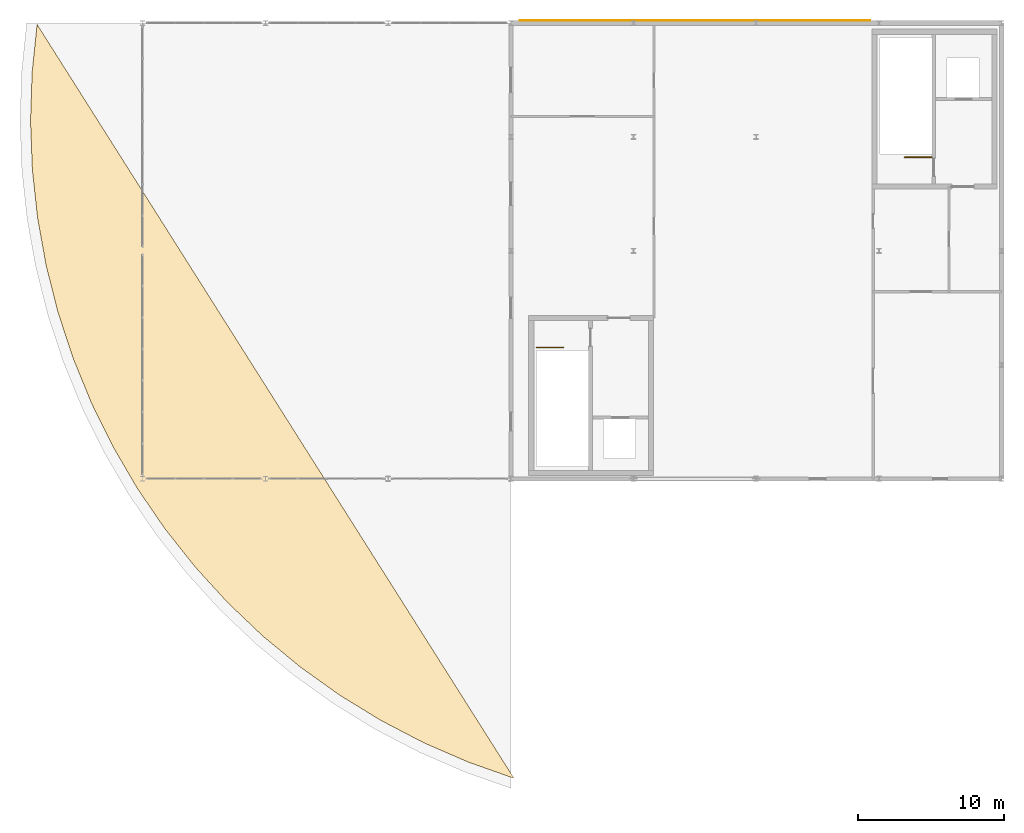
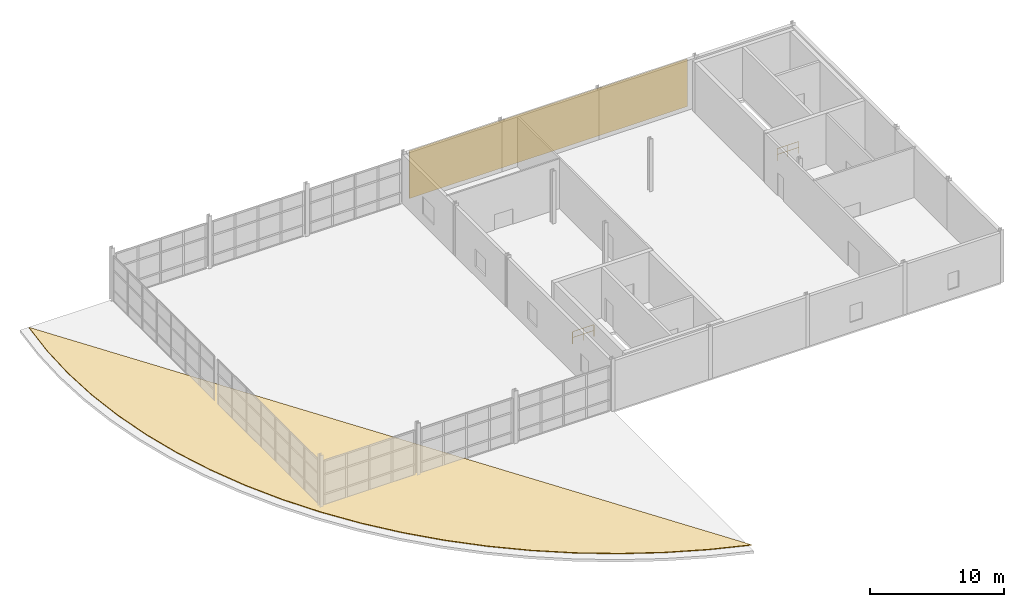
# One storey, part 14 of 14: 2 coverings, 2 railings.
"""IFC4 building model written with IfcOpenShell, lengths in metres."""

import ifcopenshell
import ifcopenshell.guid

model = None  # the IFC model being written
_history = None  # IfcOwnerHistory: only IFC2X3 demands one
_inside = {}  # id of a spatial element -> (the spatial element, [elements in it])
_under = {}  # id of a project, library or spatial element -> (it, [spatial elements below it])
_declared = {}  # id of a project -> (the project, [libraries it declares])
_typed = {}  # id of a type object -> (the type object, [elements of that type])
_made_of = {}  # id of a material, layer set ... -> (it, [elements and type objects made of it])


def new_model(schema):
    """Start an empty IFC model of exactly this schema.

    Asked for "IFC4X3", IfcOpenShell would pick the latest addendum, in which some entities
    have other attributes; the version numbers below select the first issue.
    IFC2X3 requires an IfcOwnerHistory on every rooted entity: one is made here for all.
    """
    global model, _history
    if schema == "IFC4X3":
        model = ifcopenshell.file(schema_version=(4, 3, 0, 0))
    else:
        model = ifcopenshell.file(schema=schema)
    _inside.clear()
    _under.clear()
    _declared.clear()
    _typed.clear()
    _made_of.clear()
    _history = None
    if model.schema == "IFC2X3":
        org = make("IfcOrganization", Name="unknown")
        user = make(
            "IfcPersonAndOrganization",
            ThePerson=make("IfcPerson", FamilyName="unknown"),
            TheOrganization=org,
        )
        app = make(
            "IfcApplication",
            ApplicationDeveloper=org,
            Version="unknown",
            ApplicationFullName="unknown",
            ApplicationIdentifier="unknown",
        )
        _history = make(
            "IfcOwnerHistory",
            OwningUser=user,
            OwningApplication=app,
            ChangeAction="ADDED",
            CreationDate=0,
        )
    return model


def make(cls, **values):
    """One entity of the class cls with the attributes given. An attribute that is None is left unset."""
    return model.create_entity(
        cls, **{name: value for name, value in values.items() if value is not None}
    )


def rooted(cls, **values):
    """An entity with a GlobalId (a new one), such as an element, a storey or a relation."""
    return make(cls, GlobalId=ifcopenshell.guid.new(), OwnerHistory=_history, **values)


def si_unit(unit_type, name, prefix=None):
    """IfcSIUnit, for example si_unit("LENGTHUNIT", "METRE", prefix="MILLI")."""
    return make("IfcSIUnit", UnitType=unit_type, Prefix=prefix, Name=name)


def assignment(units):
    """IfcUnitAssignment: the units of a project."""
    return None if units is None else make("IfcUnitAssignment", Units=units)


def point(xyz):
    """IfcCartesianPoint."""
    return None if xyz is None else make("IfcCartesianPoint", Coordinates=xyz)


def direction(xyz):
    """IfcDirection."""
    return None if xyz is None else make("IfcDirection", DirectionRatios=xyz)


def frame(location, z_axis=None, x_axis=None):
    """IfcAxis2Placement3D, a coordinate frame: its origin and axes. An axis left out is left unset."""
    return make(
        "IfcAxis2Placement3D",
        Location=point(location),
        Axis=direction(z_axis),
        RefDirection=direction(x_axis),
    )


def frame_2d(location, x_axis=None):
    """IfcAxis2Placement2D, a coordinate frame in the plane: its origin and x axis."""
    return make(
        "IfcAxis2Placement2D", Location=point(location), RefDirection=direction(x_axis)
    )


def origin():
    """The frame at (0, 0, 0) with its axes left unset."""
    return frame((0.0, 0.0, 0.0))


def origin_2d():
    """The frame at (0, 0) in the plane with its x axis left unset."""
    return frame_2d((0.0, 0.0))


def place(relative_to, where):
    """IfcLocalPlacement: puts the frame where relative to a parent placement (None: the world)."""
    return make(
        "IfcLocalPlacement", PlacementRelTo=relative_to, RelativePlacement=where
    )


def context(
    kind, dimensions, precision=None, world=None, true_north=None, identifier=None
):
    """IfcGeometricRepresentationContext, for example the 3D "Model" context."""
    return make(
        "IfcGeometricRepresentationContext",
        ContextIdentifier=identifier,
        ContextType=kind,
        CoordinateSpaceDimension=dimensions,
        Precision=precision,
        WorldCoordinateSystem=world,
        TrueNorth=true_north,
    )


def subcontext(parent, identifier, kind, view, scale=None):
    """IfcGeometricRepresentationSubContext, for example "Body" below "Model"."""
    return make(
        "IfcGeometricRepresentationSubContext",
        ContextIdentifier=identifier,
        ContextType=kind,
        ParentContext=parent,
        TargetScale=scale,
        TargetView=view,
    )


def project(units=None, contexts=None):
    """IfcProject with its units and contexts."""
    return rooted(
        "IfcProject",
        Name="project",
        RepresentationContexts=contexts,
        UnitsInContext=assignment(units),
    )


def spatial(cls, under=None, at=None, **own):
    """A site, building, storey or space (cls), placed at a placement, below another one or the project."""
    s = rooted(cls, ObjectPlacement=at, **own)
    if under is not None:
        _under.setdefault(under.id(), (under, []))[1].append(s)
    return s


def polyline(points):
    """IfcPolyline through the points."""
    return make("IfcPolyline", Points=[point(p) for p in points])


def profile(cls, at=None, kind="AREA", **sizes):
    """A parametric profile (cls). Its sizes go by their IFC names, for example OverallWidth=200.0."""
    return make(cls, ProfileType=kind, Position=at, **sizes)


def circle(**sizes):
    """IfcCircleProfileDef."""
    return profile("IfcCircleProfileDef", **sizes)


def outline(outer, holes=None, kind="AREA"):
    """IfcArbitraryClosedProfileDef: a profile drawn as a closed curve; with holes, ...WithVoids."""
    if holes is None:
        return make("IfcArbitraryClosedProfileDef", ProfileType=kind, OuterCurve=outer)
    return make(
        "IfcArbitraryProfileDefWithVoids",
        ProfileType=kind,
        OuterCurve=outer,
        InnerCurves=holes,
    )


def extrude(swept, where, along, depth):
    """IfcExtrudedAreaSolid: the profile swept, set in the frame where, extruded along a direction by depth."""
    return make(
        "IfcExtrudedAreaSolid",
        SweptArea=swept,
        Position=where,
        ExtrudedDirection=direction(along),
        Depth=depth,
    )


def shape(context_of_items, identifier, shape_type, items):
    """IfcShapeRepresentation: the items that make up one representation, for example the "Body"."""
    return make(
        "IfcShapeRepresentation",
        ContextOfItems=context_of_items,
        RepresentationIdentifier=identifier,
        RepresentationType=shape_type,
        Items=items,
    )


def material(Name=None, Category=None):
    """IfcMaterial."""
    return make("IfcMaterial", Name=Name, Category=Category)


def layer(
    of_material, thickness, ventilated=None, Name=None, Category=None, Priority=None
):
    """IfcMaterialLayer: one layer of a wall or slab, of a material (None: an air gap)."""
    return make(
        "IfcMaterialLayer",
        Material=of_material,
        LayerThickness=thickness,
        IsVentilated=ventilated,
        Name=Name,
        Category=Category,
        Priority=Priority,
    )


def layer_set(layers, Name=None):
    """IfcMaterialLayerSet."""
    return make("IfcMaterialLayerSet", MaterialLayers=layers, LayerSetName=Name)


def made_of(thing, what):
    """Note that an element or type object is made of a material, layer set ...; save() writes the relation."""
    if what is not None:
        _made_of.setdefault(what.id(), (what, []))[1].append(thing)
    return thing


def type_object(cls, material=None, **own):
    """A type object (cls), such as IfcWallType, which elements share."""
    return made_of(rooted(cls, **own), material)


def element(
    cls,
    number,
    at=None,
    inside=None,
    cuts=None,
    type_object=None,
    material=None,
    context=None,
    identifier="Body",
    shape_type=None,
    held_by="IfcProductDefinitionShape",
    body=None,
    shapes=None,
    **own,
):
    """One element of the class cls, such as IfcWall. Its Tag is "e" and its number.

    at: its placement. inside: the storey or other place that contains it. cuts: it is an
    opening in that element (IfcRelVoidsElement). A single representation is given by context,
    identifier, shape_type and body (its items); several are given by shapes. held_by: the class
    of the entity that holds the representations. save() writes the other relations.
    """
    e = rooted(cls, Tag="e%d" % number, ObjectPlacement=at, **own)
    if body is not None:
        shapes = [shape(context, identifier, shape_type, body)]
    if shapes is not None:
        e.Representation = make(held_by, Representations=shapes)
    if inside is not None:
        _inside.setdefault(inside.id(), (inside, []))[1].append(e)
    if cuts is not None:
        rooted(
            "IfcRelVoidsElement", RelatingBuildingElement=cuts, RelatedOpeningElement=e
        )
    if type_object is not None:
        _typed.setdefault(type_object.id(), (type_object, []))[1].append(e)
    return made_of(e, material)


def aggregate(whole, parts):
    """IfcRelAggregates: a whole, such as a stair, and the parts it consists of."""
    return rooted("IfcRelAggregates", RelatingObject=whole, RelatedObjects=parts)


def save(model, path):
    """Write the relations noted so far, then the file.

    IfcRelAggregates (storeys below a building ...), IfcRelContainedInSpatialStructure (elements
    in a storey), IfcRelDefinesByType, IfcRelAssociatesMaterial and IfcRelDeclares: one each for
    every whole, place, type object, material and project.
    """
    for whole, parts in _under.values():
        aggregate(whole, parts)
    for where, things in _inside.values():
        rooted(
            "IfcRelContainedInSpatialStructure",
            RelatedElements=things,
            RelatingStructure=where,
        )
    for kind, things in _typed.values():
        rooted("IfcRelDefinesByType", RelatedObjects=things, RelatingType=kind)
    for what, things in _made_of.values():
        rooted("IfcRelAssociatesMaterial", RelatedObjects=things, RelatingMaterial=what)
    for by, libraries in _declared.values():
        rooted("IfcRelDeclares", RelatingContext=by, RelatedDefinitions=libraries)
    model.write(path)


model = new_model("IFC4")

# Units and contexts
model_context = context("Model", 3, precision=1e-05, world=origin(), true_north=direction((0.0, 1.0)))
body_context = subcontext(model_context, "Body", "Model", "MODEL_VIEW")
ifc_project = project(units=[si_unit("LENGTHUNIT", "METRE"), si_unit("AREAUNIT", "SQUARE_METRE"), si_unit("VOLUMEUNIT", "CUBIC_METRE"), si_unit("PLANEANGLEUNIT", "RADIAN"), si_unit("MASSUNIT", "GRAM", prefix="KILO")], contexts=[model_context])

# Site, building, storey
site_placement = place(None, origin())
site = spatial("IfcSite", under=ifc_project, at=site_placement, CompositionType="ELEMENT")
building_placement = place(site_placement, origin())
building = spatial("IfcBuilding", under=site, at=building_placement, Name="Selat Folded Stagehouse", CompositionType="ELEMENT")
storey_placement = place(building_placement, frame((0.0, 0.0, 27.60009765625)))
storey = spatial("IfcBuildingStorey", under=building, at=storey_placement, Name="L06", CompositionType="ELEMENT", Elevation=27.60009765625)

# Coverings
ifc_material_1 = material(Name="Perforated bronze-anodised aluminium rainscreen", Category="aluminium")
ifc_layer_1 = layer(ifc_material_1, 0.044921875)
ifc_layer_set_1 = layer_set([ifc_layer_1], Name="Perforated bronze-anodised aluminium rainscreen")
covering_type_1 = type_object("IfcCoveringType", Name="COV-CLAD-45A", PredefinedType="CLADDING", material=ifc_layer_set_1)
covering_1_placement = place(storey_placement, frame((0.0, 0.0, 0.099853515625)))
element("IfcCovering", 1, at=covering_1_placement, inside=storey, type_object=covering_type_1, Name="L06 fly-tower bronze rainscreen cladding 06", PredefinedType="CLADDING", context=body_context, shape_type="SweptSolid", body=[
    extrude(outline(polyline([(34.199951171875, 54.762451171875), (58.199951171875, 54.762451171875), (58.199951171875, 54.8076171875), (34.199951171875, 54.8076171875), (34.199951171875, 54.762451171875)])), origin(), (0.0, 0.0, 1.0), 4.35009765625),
])
ifc_material_2 = material(Name="Standing-seam aluminium and rigid insulation", Category="aluminium")
ifc_layer_2 = layer(ifc_material_2, 0.06494140625)
ifc_layer_set_2 = layer_set([ifc_layer_2], Name="Standing-seam aluminium and rigid insulation")
covering_type_2 = type_object("IfcCoveringType", Name="COV-ROOF-65", PredefinedType="ROOFING", material=ifc_layer_set_2)
covering_2_placement = place(storey_placement, origin())
element("IfcCovering", 2, at=covering_2_placement, inside=storey, type_object=covering_type_2, Name="L06 standing-seam roof covering COV-RF-V1", PredefinedType="ROOFING", context=body_context, shape_type="SweptSolid", body=[
    extrude(outline(polyline([(1.169189453125, 54.5009765625), (0.828369140625, 51.2001953125), (0.72021484375, 47.88330078125), (0.8447265625, 44.5673828125), (1.201904296875, 41.26806640625), (1.789306640625, 38.001953125), (2.604248046875, 34.78515625), (3.64306640625, 31.63330078125), (4.900390625, 28.5625), (6.3701171875, 25.5869140625), (8.044677734375, 22.72216796875), (9.916259765625, 19.981689453125), (11.975341796875, 17.37939453125), (14.2119140625, 14.927978515625), (16.614990234375, 12.639404296875), (19.172607421875, 10.52490234375), (21.872314453125, 8.59521484375), (24.70068359375, 6.859619140625), (27.643798828125, 5.326416015625), (30.687255859375, 4.00390625), (33.81591796875, 2.897705078125), (1.169189453125, 54.5009765625)])), origin(), (0.0, 0.0, 1.0), 0.06494140625),
])

# Railings
ifc_material_3 = material(Name="Bronze-anodised steel balustrade", Category="steel")
ifc_layer_3 = layer(ifc_material_3, 0.06494140625)
ifc_layer_set_3 = layer_set([ifc_layer_3], Name="Bronze-anodised steel balustrade")
railing_type = type_object("IfcRailingType", Name="RLG-BAL-1120", PredefinedType="BALUSTRADE", material=ifc_layer_set_3)
railing_1_placement = place(storey_placement, frame((35.360107421875, 32.389892578125, 0.0)))
element("IfcRailing", 3, at=railing_1_placement, inside=storey, type_object=railing_type, Name="L06 ST-01 top well guard 1", PredefinedType="BALUSTRADE", context=body_context, shape_type="SweptSolid", body=[
    extrude(circle(Radius=0.02392578125, at=origin_2d()), frame((0.0, 0.0, 1.09619140625), z_axis=(1.0, 0.0, 0.0), x_axis=(0.0, 1.0, 0.0)), (0.0, 0.0, 1.0), 1.85986328125),
    extrude(circle(Radius=0.02392578125, at=origin_2d()), frame((0.0, 0.0, 0.56005859375), z_axis=(1.0, 0.0, 0.0), x_axis=(0.0, 1.0, 0.0)), (0.0, 0.0, 1.0), 1.85986328125),
    extrude(circle(Radius=0.02099609375, at=origin_2d()), origin(), (0.0, 0.0, 1.0), 1.072021484375),
    extrude(circle(Radius=0.02099609375, at=origin_2d()), frame((0.929931640625, 0.0, 0.0)), (0.0, 0.0, 1.0), 1.072021484375),
    extrude(circle(Radius=0.02099609375, at=origin_2d()), frame((1.85986328125, 0.0, 0.0)), (0.0, 0.0, 1.0), 1.072021484375),
])
railing_2_placement = place(storey_placement, frame((62.419921875, 45.409912109375, 0.0)))
element("IfcRailing", 4, at=railing_2_placement, inside=storey, type_object=railing_type, Name="L06 ST-02 top well guard 1", PredefinedType="BALUSTRADE", context=body_context, shape_type="SweptSolid", body=[
    extrude(circle(Radius=0.02392578125, at=origin_2d()), frame((0.0, 0.0, 1.09619140625), z_axis=(-1.0, 0.0, 0.0), x_axis=(0.0, -1.0, 0.0)), (0.0, 0.0, 1.0), 1.85986328125),
    extrude(circle(Radius=0.02392578125, at=origin_2d()), frame((0.0, 0.0, 0.56005859375), z_axis=(-1.0, 0.0, 0.0), x_axis=(0.0, -1.0, 0.0)), (0.0, 0.0, 1.0), 1.85986328125),
    extrude(circle(Radius=0.02099609375, at=origin_2d()), origin(), (0.0, 0.0, 1.0), 1.072021484375),
    extrude(circle(Radius=0.02099609375, at=origin_2d()), frame((-0.929931640625, 0.0, 0.0)), (0.0, 0.0, 1.0), 1.072021484375),
    extrude(circle(Radius=0.02099609375, at=origin_2d()), frame((-1.85986328125, 0.0, 0.0)), (0.0, 0.0, 1.0), 1.072021484375),
])

save(model, "model.ifc")
